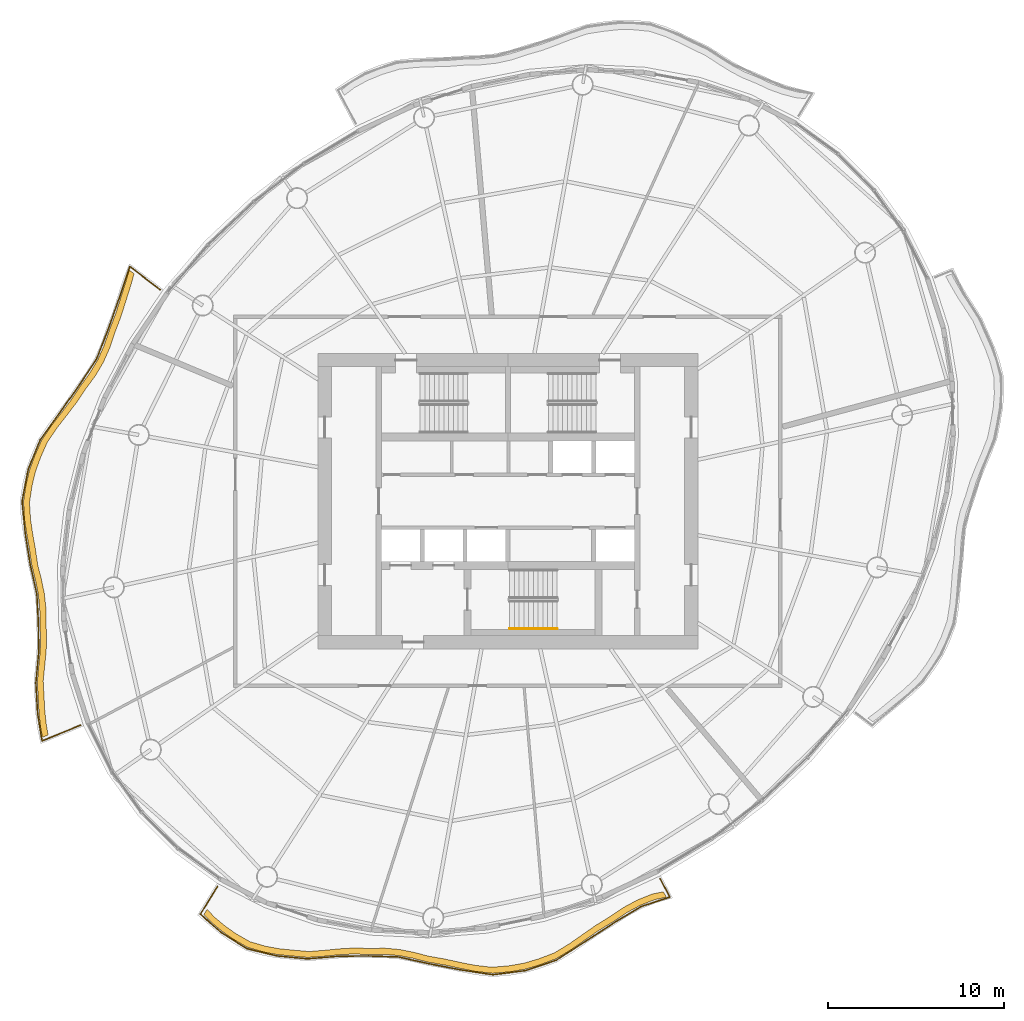
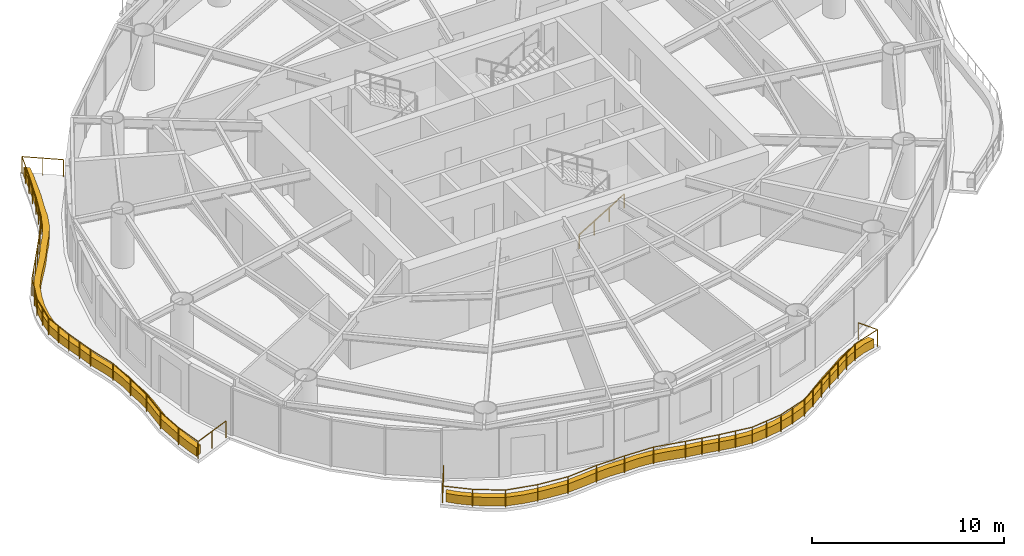
# One storey, part 12 of 14: 3 railings, 2 coverings.
"""IFC4 building model written with IfcOpenShell, lengths in metres."""

from ifc_helpers import new_model, si_unit, direction, frame, origin, origin_2d, place, context, subcontext, project, spatial, polyline, circle, outline, extrude, material, type_object, element, save


model = new_model("IFC4")

# Units and contexts
model_context = context("Model", 3, precision=1e-05, world=origin(), true_north=direction((0.0, 1.0)))
body_context = subcontext(model_context, "Body", "Model", "MODEL_VIEW")
ifc_project = project(units=[si_unit("LENGTHUNIT", "METRE"), si_unit("AREAUNIT", "SQUARE_METRE"), si_unit("VOLUMEUNIT", "CUBIC_METRE"), si_unit("PLANEANGLEUNIT", "RADIAN"), si_unit("MASSUNIT", "GRAM", prefix="KILO")], contexts=[model_context])

# Site, building, storey
site_placement = place(None, origin())
site = spatial("IfcSite", under=ifc_project, at=site_placement, CompositionType="ELEMENT")
building_placement = place(site_placement, origin())
building = spatial("IfcBuilding", under=site, at=building_placement, Name="Vermilion Reach Broadcast Tower", CompositionType="ELEMENT")
storey_placement = place(building_placement, frame((0.0, 0.0, 195.699951171875)))
storey = spatial("IfcBuildingStorey", under=building, at=storey_placement, Name="L47", CompositionType="ELEMENT", Elevation=195.699951171875)

# Coverings
ifc_material_1 = material(Name="Planting soil and greenery")
covering_type = type_object("IfcCoveringType", Name="Balcony PLANTER", PredefinedType="USERDEFINED", material=ifc_material_1)
placement = place(storey_placement, origin())
element("IfcCovering", 1, at=placement, inside=storey, type_object=covering_type, Name="PLANTER L47 group 2", ObjectType="PLANTER", PredefinedType="USERDEFINED", context=body_context, shape_type="SweptSolid", body=[
    extrude(outline(polyline([(-27.5458984375, 13.14990234375), (-27.755615234375, 12.433837890625), (-28.0341796875, 11.550048828125), (-28.314453125, 10.667236328125), (-28.66845703125, 9.7490234375), (-28.976806640625, 8.84423828125), (-29.334716796875, 8.04541015625), (-29.781982421875, 7.29296875), (-30.345947265625, 6.520263671875), (-30.87353515625, 5.72802734375), (-31.41455078125, 5.018310546875), (-31.962646484375, 4.31103515625), (-32.5322265625, 3.46923828125), (-32.927978515625, 2.568115234375), (-33.21484375, 1.777587890625), (-33.41357421875, 0.965087890625), (-33.561279296875, -0.015380859375), (-33.506591796875, -0.993896484375), (-33.3818359375, -1.8291015625), (-33.231689453125, -2.667236328125), (-33.098388671875, -3.603515625), (-32.87939453125, -4.4931640625), (-32.719970703125, -5.284423828125), (-32.635009765625, -6.0771484375), (-32.6318359375, -6.94775390625), (-32.583984375, -7.80224609375), (-32.614990234375, -8.592529296875), (-32.6943359375, -9.390625), (-32.7783203125, -10.322509765625), (-32.7216796875, -11.239013671875), (-32.681640625, -12.023193359375), (-32.596435546875, -12.792724609375), (-32.48486328125, -13.4365234375), (-32.160888671875, -13.303955078125), (-32.26318359375, -12.685546875), (-32.348388671875, -11.916015625), (-32.388427734375, -11.1318359375), (-32.43798828125, -10.240478515625), (-32.348876953125, -9.334228515625), (-32.26953125, -8.535888671875), (-32.238525390625, -7.745849609375), (-32.283203125, -6.915771484375), (-32.28515625, -6.0703125), (-32.3701171875, -5.277587890625), (-32.529296875, -4.486328125), (-32.748779296875, -3.620361328125), (-32.884033203125, -2.70751953125), (-33.0341796875, -1.86962890625), (-33.158935546875, -1.034423828125), (-33.216796875, -0.077880859375), (-33.073974609375, 0.88037109375), (-32.875244140625, 1.69287109375), (-32.58837890625, 2.4833984375), (-32.1982421875, 3.364013671875), (-31.6357421875, 4.185791015625), (-31.087890625, 4.892822265625), (-30.546875, 5.6025390625), (-30.027099609375, 6.376220703125), (-29.471923828125, 7.13037109375), (-29.02490234375, 7.8828125), (-28.666748046875, 8.681884765625), (-28.3681640625, 9.5693359375), (-28.024658203125, 10.470703125), (-27.744384765625, 11.353515625), (-27.4658203125, 12.2373046875), (-27.267333984375, 12.93798828125), (-27.5458984375, 13.14990234375)])), origin(), (0.0, 0.0, 1.0), 0.550048828125),
])
element("IfcCovering", 2, at=placement, inside=storey, type_object=covering_type, Name="PLANTER L47 group 3", ObjectType="PLANTER", PredefinedType="USERDEFINED", context=body_context, shape_type="SweptSolid", body=[
    extrude(outline(polyline([(-23.296875, -23.51123046875), (-22.852783203125, -23.976318359375), (-22.25537109375, -24.47412109375), (-21.630615234375, -24.91845703125), (-20.810546875, -25.383056640625), (-19.89013671875, -25.6513671875), (-19.119384765625, -25.790771484375), (-18.328857421875, -25.871337890625), (-17.396728515625, -25.956298828125), (-16.4384765625, -25.887939453125), (-15.615478515625, -25.805908203125), (-14.799560546875, -25.760986328125), (-13.9208984375, -25.790283203125), (-13.029052734375, -25.77685546875), (-12.21630859375, -25.847900390625), (-11.40771484375, -26.00244140625), (-10.513427734375, -26.23046875), (-9.572021484375, -26.3916015625), (-8.7177734375, -26.57763671875), (-7.864990234375, -26.7470703125), (-6.875732421875, -26.858154296875), (-5.875, -26.773681640625), (-5.03076171875, -26.627197265625), (-4.2060546875, -26.386474609375), (-3.271240234375, -26.034912109375), (-2.3896484375, -25.504150390625), (-1.64208984375, -24.981201171875), (-0.89404296875, -24.46044921875), (-0.066162109375, -23.95556640625), (0.741455078125, -23.417236328125), (1.52490234375, -22.99560546875), (2.3515625, -22.66845703125), (3.0087890625, -22.526123046875), (2.844970703125, -22.216796875), (2.205078125, -22.3505859375), (1.378173828125, -22.677978515625), (0.5947265625, -23.099365234375), (-0.194580078125, -23.6298828125), (-1.00390625, -24.128173828125), (-1.752197265625, -24.64892578125), (-2.49951171875, -25.171875), (-3.36181640625, -25.69677734375), (-4.276611328125, -26.043701171875), (-5.101318359375, -26.284423828125), (-5.945556640625, -26.430908203125), (-6.925048828125, -26.51171875), (-7.893310546875, -26.398193359375), (-8.74609375, -26.228759765625), (-9.60009765625, -26.042724609375), (-10.51904296875, -25.88037109375), (-11.390869140625, -25.65283203125), (-12.19970703125, -25.498291015625), (-13.012451171875, -25.42724609375), (-13.880615234375, -25.442626953125), (-14.73583984375, -25.4169921875), (-15.5517578125, -25.461669921875), (-16.374755859375, -25.5439453125), (-17.30859375, -25.61767578125), (-18.217041015625, -25.539794921875), (-19.007568359375, -25.458984375), (-19.7783203125, -25.319580078125), (-20.67431640625, -25.060791015625), (-21.470703125, -24.607177734375), (-22.095458984375, -24.16259765625), (-22.69287109375, -23.6650390625), (-23.113525390625, -23.213134765625), (-23.296875, -23.51123046875)])), origin(), (0.0, 0.0, 1.0), 0.550048828125),
])

# Railings
ifc_material_2 = material(Name="Stainless steel 316 balustrade", Category="steel")
railing_type_1 = type_object("IfcRailingType", Name="Balcony guard 1100", PredefinedType="BALUSTRADE", material=ifc_material_2)
railing_1_placement = place(storey_placement, frame((-25.786865234375, 12.036865234375, 0.0)))
element("IfcRailing", 3, at=railing_1_placement, inside=storey, type_object=railing_type_1, Name="Balcony guard L47 group 2", PredefinedType="BALUSTRADE", context=body_context, shape_type="SweptSolid", body=[
    extrude(circle(Radius=0.02490234375, at=origin_2d()), frame((0.0, 0.0, 1.0751953125), z_axis=(-0.795701016995, 0.605689600004, 0.0), x_axis=(-0.605689600004, -0.795701016995, 0.0)), (0.0, 0.0, 1.0), 2.163818359375),
    extrude(circle(Radius=0.02490234375, at=origin_2d()), frame((-1.7216796875, 1.310546875, 1.0751953125), z_axis=(-0.319907487639, -0.947448784554, 0.0), x_axis=(0.947448784554, -0.319907487639, 0.0)), (0.0, 0.0, 1.0), 1.849853515625),
    extrude(circle(Radius=0.02490234375, at=origin_2d()), frame((-2.3134765625, -0.442138671875, 1.0751953125), z_axis=(-0.332753377786, -0.943013886203, 0.0), x_axis=(0.943013886203, -0.332753377786, 0.0)), (0.0, 0.0, 1.0), 1.91357421875),
    extrude(circle(Radius=0.02490234375, at=origin_2d()), frame((-2.9501953125, -2.24658203125, 1.0751953125), z_axis=(-0.364610145749, -0.931160266343, 0.0), x_axis=(0.931160266343, -0.364610145749, 0.0)), (0.0, 0.0, 1.0), 1.833984375),
    extrude(circle(Radius=0.02490234375, at=origin_2d()), frame((-3.618896484375, -3.954345703125, 1.0751953125), z_axis=(-0.552302368911, -0.833643864786, 0.0), x_axis=(0.833643864786, -0.552302368911, 0.0)), (0.0, 0.0, 1.0), 1.83447265625),
    extrude(circle(Radius=0.02490234375, at=origin_2d()), frame((-4.632080078125, -5.483642578125, 1.0751953125), z_axis=(-0.579211753017, -0.815177125027, 0.0), x_axis=(0.815177125027, -0.579211753017, 0.0)), (0.0, 0.0, 1.0), 1.847900390625),
    extrude(circle(Radius=0.02490234375, at=origin_2d()), frame((-5.702392578125, -6.989990234375, 1.0751953125), z_axis=(-0.584465938292, -0.811418244173, 0.0), x_axis=(0.811418244173, -0.584465938292, 0.0)), (0.0, 0.0, 1.0), 1.914794921875),
    extrude(circle(Radius=0.02490234375, at=origin_2d()), frame((-6.821533203125, -8.543701171875, 1.0751953125), z_axis=(-0.374012778837, -0.927423550093, 0.0), x_axis=(0.927423550093, -0.374012778837, 0.0)), (0.0, 0.0, 1.0), 1.8291015625),
    extrude(circle(Radius=0.02490234375, at=origin_2d()), frame((-7.505615234375, -10.239990234375, 1.0751953125), z_axis=(-0.189727557271, -0.981836775646, 0.0), x_axis=(0.981836775646, -0.189727557271, 0.0)), (0.0, 0.0, 1.0), 1.8310546875),
    extrude(circle(Radius=0.02490234375, at=origin_2d()), frame((-7.85302734375, -12.037841796875, 1.0751953125), z_axis=(0.097651850413, -0.9952206369, 0.0), x_axis=(0.9952206369, 0.097651850413, 0.0)), (0.0, 0.0, 1.0), 1.82763671875),
    extrude(circle(Radius=0.02490234375, at=origin_2d()), frame((-7.674560546875, -13.856689453125, 1.0751953125), z_axis=(0.157124056101, -0.987578873303, 0.0), x_axis=(0.987578873303, 0.157124056101, 0.0)), (0.0, 0.0, 1.0), 1.802490234375),
    extrude(circle(Radius=0.02490234375, at=origin_2d()), frame((-7.391357421875, -15.63671875, 1.0751953125), z_axis=(0.218829734802, -0.975763058927, 0.0), x_axis=(0.975763058927, 0.218829734802, 0.0)), (0.0, 0.0, 1.0), 1.728271484375),
    extrude(circle(Radius=0.02490234375, at=origin_2d()), frame((-7.01318359375, -17.322998046875, 1.0751953125), z_axis=(0.053034257169, -0.998592693528, 0.0), x_axis=(0.998592693528, 0.053034257169, 0.0)), (0.0, 0.0, 1.0), 1.671142578125),
    extrude(circle(Radius=0.02490234375, at=origin_2d()), frame((-6.924560546875, -18.99169921875, 1.0751953125), z_axis=(0.0106502835, -0.999943284122, 0.0), x_axis=(0.999943284122, 0.0106502835, 0.0)), (0.0, 0.0, 1.0), 1.650390625),
    extrude(circle(Radius=0.02490234375, at=origin_2d()), frame((-6.906982421875, -20.64208984375, 1.0751953125), z_axis=(-0.092984982768, -0.995667511261, 0.0), x_axis=(0.995667511261, -0.092984982768, 0.0)), (0.0, 0.0, 1.0), 1.743408203125),
    extrude(circle(Radius=0.02490234375, at=origin_2d()), frame((-7.069091796875, -22.3779296875, 1.0751953125), z_axis=(0.057415856982, -0.998350349009, 0.0), x_axis=(0.998350349009, 0.057415856982, 0.0)), (0.0, 0.0, 1.0), 1.70947265625),
    extrude(circle(Radius=0.02490234375, at=origin_2d()), frame((-6.970947265625, -24.08447265625, 1.0751953125), z_axis=(0.157635796185, -0.987497319369, 0.0), x_axis=(0.987497319369, 0.157635796185, 0.0)), (0.0, 0.0, 1.0), 1.610595703125),
    extrude(circle(Radius=0.02490234375, at=origin_2d()), frame((-6.717041015625, -25.675048828125, 1.0751953125), z_axis=(0.925555165898, 0.378612776962, 0.0), x_axis=(-0.378612776962, 0.925555165898, 0.0)), (0.0, 0.0, 1.0), 2.368408203125),
    extrude(circle(Radius=0.02490234375, at=origin_2d()), origin(), (0.0, 0.0, 1.0), 1.050048828125),
    extrude(circle(Radius=0.02490234375, at=origin_2d()), frame((-0.86083984375, 0.6552734375, 0.0)), (0.0, 0.0, 1.0), 1.050048828125),
    extrude(circle(Radius=0.02490234375, at=origin_2d()), frame((-1.7216796875, 1.310546875, 0.0)), (0.0, 0.0, 1.0), 1.050048828125),
    extrude(circle(Radius=0.02490234375, at=origin_2d()), frame((-2.017578125, 0.43408203125, 0.0)), (0.0, 0.0, 1.0), 1.050048828125),
    extrude(circle(Radius=0.02490234375, at=origin_2d()), frame((-2.3134765625, -0.442138671875, 0.0)), (0.0, 0.0, 1.0), 1.050048828125),
    extrude(circle(Radius=0.02490234375, at=origin_2d()), frame((-2.6318359375, -1.34423828125, 0.0)), (0.0, 0.0, 1.0), 1.050048828125),
    extrude(circle(Radius=0.02490234375, at=origin_2d()), frame((-2.9501953125, -2.24658203125, 0.0)), (0.0, 0.0, 1.0), 1.050048828125),
    extrude(circle(Radius=0.02490234375, at=origin_2d()), frame((-3.28466796875, -3.1005859375, 0.0)), (0.0, 0.0, 1.0), 1.050048828125),
    extrude(circle(Radius=0.02490234375, at=origin_2d()), frame((-3.618896484375, -3.954345703125, 0.0)), (0.0, 0.0, 1.0), 1.050048828125),
    extrude(circle(Radius=0.02490234375, at=origin_2d()), frame((-4.12548828125, -4.718994140625, 0.0)), (0.0, 0.0, 1.0), 1.050048828125),
    extrude(circle(Radius=0.02490234375, at=origin_2d()), frame((-4.632080078125, -5.483642578125, 0.0)), (0.0, 0.0, 1.0), 1.050048828125),
    extrude(circle(Radius=0.02490234375, at=origin_2d()), frame((-5.167236328125, -6.23681640625, 0.0)), (0.0, 0.0, 1.0), 1.050048828125),
    extrude(circle(Radius=0.02490234375, at=origin_2d()), frame((-5.702392578125, -6.989990234375, 0.0)), (0.0, 0.0, 1.0), 1.050048828125),
    extrude(circle(Radius=0.02490234375, at=origin_2d()), frame((-6.261962890625, -7.766845703125, 0.0)), (0.0, 0.0, 1.0), 1.050048828125),
    extrude(circle(Radius=0.02490234375, at=origin_2d()), frame((-6.821533203125, -8.543701171875, 0.0)), (0.0, 0.0, 1.0), 1.050048828125),
    extrude(circle(Radius=0.02490234375, at=origin_2d()), frame((-7.16357421875, -9.391845703125, 0.0)), (0.0, 0.0, 1.0), 1.050048828125),
    extrude(circle(Radius=0.02490234375, at=origin_2d()), frame((-7.505615234375, -10.239990234375, 0.0)), (0.0, 0.0, 1.0), 1.050048828125),
    extrude(circle(Radius=0.02490234375, at=origin_2d()), frame((-7.67919921875, -11.138916015625, 0.0)), (0.0, 0.0, 1.0), 1.050048828125),
    extrude(circle(Radius=0.02490234375, at=origin_2d()), frame((-7.85302734375, -12.037841796875, 0.0)), (0.0, 0.0, 1.0), 1.050048828125),
    extrude(circle(Radius=0.02490234375, at=origin_2d()), frame((-7.763671875, -12.947265625, 0.0)), (0.0, 0.0, 1.0), 1.050048828125),
    extrude(circle(Radius=0.02490234375, at=origin_2d()), frame((-7.674560546875, -13.856689453125, 0.0)), (0.0, 0.0, 1.0), 1.050048828125),
    extrude(circle(Radius=0.02490234375, at=origin_2d()), frame((-7.532958984375, -14.74658203125, 0.0)), (0.0, 0.0, 1.0), 1.050048828125),
    extrude(circle(Radius=0.02490234375, at=origin_2d()), frame((-7.391357421875, -15.63671875, 0.0)), (0.0, 0.0, 1.0), 1.050048828125),
    extrude(circle(Radius=0.02490234375, at=origin_2d()), frame((-7.01318359375, -17.322998046875, 0.0)), (0.0, 0.0, 1.0), 1.050048828125),
    extrude(circle(Radius=0.02490234375, at=origin_2d()), frame((-6.924560546875, -18.99169921875, 0.0)), (0.0, 0.0, 1.0), 1.050048828125),
    extrude(circle(Radius=0.02490234375, at=origin_2d()), frame((-6.906982421875, -20.64208984375, 0.0)), (0.0, 0.0, 1.0), 1.050048828125),
    extrude(circle(Radius=0.02490234375, at=origin_2d()), frame((-7.069091796875, -22.3779296875, 0.0)), (0.0, 0.0, 1.0), 1.050048828125),
    extrude(circle(Radius=0.02490234375, at=origin_2d()), frame((-6.970947265625, -24.08447265625, 0.0)), (0.0, 0.0, 1.0), 1.050048828125),
    extrude(circle(Radius=0.02490234375, at=origin_2d()), frame((-6.717041015625, -25.675048828125, 0.0)), (0.0, 0.0, 1.0), 1.050048828125),
    extrude(circle(Radius=0.02490234375, at=origin_2d()), frame((-5.62109375, -25.2265625, 0.0)), (0.0, 0.0, 1.0), 1.050048828125),
    extrude(circle(Radius=0.02490234375, at=origin_2d()), frame((-4.52490234375, -24.7783203125, 0.0)), (0.0, 0.0, 1.0), 1.050048828125),
])
railing_2_placement = place(storey_placement, frame((-22.52587890625, -21.915771484375, 0.0)))
element("IfcRailing", 4, at=railing_2_placement, inside=storey, type_object=railing_type_1, Name="Balcony guard L47 group 3", PredefinedType="BALUSTRADE", context=body_context, shape_type="SweptSolid", body=[
    extrude(circle(Radius=0.02490234375, at=origin_2d()), frame((0.0, 0.0, 1.0751953125), z_axis=(-0.524112098093, -0.851649287343, 0.0), x_axis=(0.851649287343, -0.524112098093, 0.0)), (0.0, 0.0, 1.0), 1.856689453125),
    extrude(circle(Radius=0.02490234375, at=origin_2d()), frame((-0.97314453125, -1.581298828125, 1.0751953125), z_axis=(0.755068931808, -0.655645413481, 0.0), x_axis=(0.655645413481, 0.755068931808, 0.0)), (0.0, 0.0, 1.0), 1.5986328125),
    extrude(circle(Radius=0.02490234375, at=origin_2d()), frame((0.23388671875, -2.62939453125, 1.0751953125), z_axis=(0.846618201002, -0.532200734434, 0.0), x_axis=(0.532200734434, 0.846618201002, 0.0)), (0.0, 0.0, 1.0), 1.712890625),
    extrude(circle(Radius=0.02490234375, at=origin_2d()), frame((1.68408203125, -3.541015625, 1.0751953125), z_axis=(0.972069006195, -0.234695221927, 0.0), x_axis=(0.234695221927, 0.972069006195, 0.0)), (0.0, 0.0, 1.0), 1.74560546875),
    extrude(circle(Radius=0.02490234375, at=origin_2d()), frame((3.380859375, -3.95068359375, 1.0751953125), z_axis=(0.995350883243, -0.09631520766, 0.0), x_axis=(0.09631520766, 0.995350883243, 0.0)), (0.0, 0.0, 1.0), 1.736328125),
    extrude(circle(Radius=0.02490234375, at=origin_2d()), frame((5.109130859375, -4.117919921875, 1.0751953125), z_axis=(0.996532597772, 0.08320325461, 0.0), x_axis=(-0.08320325461, 0.996532597772, 0.0)), (0.0, 0.0, 1.0), 1.792724609375),
    extrude(circle(Radius=0.02490234375, at=origin_2d()), frame((6.895751953125, -3.96875, 1.0751953125), z_axis=(0.999961628225, 0.00876025554, 0.0), x_axis=(-0.00876025554, 0.999961628225, 0.0)), (0.0, 0.0, 1.0), 1.699951171875),
    extrude(circle(Radius=0.02490234375, at=origin_2d()), frame((8.595703125, -3.953857421875, 1.0751953125), z_axis=(0.999418306162, -0.034103508734, 0.0), x_axis=(0.034103508734, 0.999418306162, 0.0)), (0.0, 0.0, 1.0), 1.7109375),
    extrude(circle(Radius=0.02490234375, at=origin_2d()), frame((10.3056640625, -4.01220703125, 1.0751953125), z_axis=(0.975857783171, -0.218406929891, 0.0), x_axis=(0.218406929891, 0.975857783171, 0.0)), (0.0, 0.0, 1.0), 1.75048828125),
    extrude(circle(Radius=0.02490234375, at=origin_2d()), frame((12.013916015625, -4.39453125, 1.0751953125), z_axis=(0.981938957548, -0.189198001176, 0.0), x_axis=(0.189198001176, 0.981938957548, 0.0)), (0.0, 0.0, 1.0), 1.833740234375),
    extrude(circle(Radius=0.02490234375, at=origin_2d()), frame((13.814453125, -4.741455078125, 1.0751953125), z_axis=(0.988680869241, -0.150033792186, 0.0), x_axis=(0.150033792186, 0.988680869241, 0.0)), (0.0, 0.0, 1.0), 1.8681640625),
    extrude(circle(Radius=0.02490234375, at=origin_2d()), frame((15.661376953125, -5.021728515625, 1.0751953125), z_axis=(0.992231470228, 0.124405423877, 0.0), x_axis=(-0.124405423877, 0.992231470228, 0.0)), (0.0, 0.0, 1.0), 1.8642578125),
    extrude(circle(Radius=0.02490234375, at=origin_2d()), frame((17.51123046875, -4.789794921875, 1.0751953125), z_axis=(0.947827132534, 0.318784765683, 0.0), x_axis=(-0.318784765683, 0.947827132534, 0.0)), (0.0, 0.0, 1.0), 1.861083984375),
    extrude(circle(Radius=0.02490234375, at=origin_2d()), frame((19.275146484375, -4.196533203125, 1.0751953125), z_axis=(0.840034610357, 0.542532813204, 0.0), x_axis=(-0.542532813204, 0.840034610357, 0.0)), (0.0, 0.0, 1.0), 1.94482421875),
    extrude(circle(Radius=0.02490234375, at=origin_2d()), frame((20.908935546875, -3.141357421875, 1.0751953125), z_axis=(0.838411062993, 0.545038429334, 0.0), x_axis=(-0.545038429334, 0.838411062993, 0.0)), (0.0, 0.0, 1.0), 1.885009765625),
    extrude(circle(Radius=0.02490234375, at=origin_2d()), frame((22.4892578125, -2.114013671875, 1.0751953125), z_axis=(0.856438521644, 0.516249027741, 0.0), x_axis=(-0.516249027741, 0.856438521644, 0.0)), (0.0, 0.0, 1.0), 1.8623046875),
    extrude(circle(Radius=0.02490234375, at=origin_2d()), frame((24.084228515625, -1.152587890625, 1.0751953125), z_axis=(0.949257120016, 0.314501065339, 0.0), x_axis=(-0.314501065339, 0.949257120016, 0.0)), (0.0, 0.0, 1.0), 1.73974609375),
    extrude(circle(Radius=0.02490234375, at=origin_2d()), frame((25.735595703125, -0.60546875, 1.0751953125), z_axis=(-0.468240211257, 0.883601213536, 0.0), x_axis=(-0.883601213536, -0.468240211257, 0.0)), (0.0, 0.0, 1.0), 1.17724609375),
    extrude(circle(Radius=0.02490234375, at=origin_2d()), origin(), (0.0, 0.0, 1.0), 1.050048828125),
    extrude(circle(Radius=0.02490234375, at=origin_2d()), frame((-0.486572265625, -0.79052734375, 0.0)), (0.0, 0.0, 1.0), 1.050048828125),
    extrude(circle(Radius=0.02490234375, at=origin_2d()), frame((-0.97314453125, -1.581298828125, 0.0)), (0.0, 0.0, 1.0), 1.050048828125),
    extrude(circle(Radius=0.02490234375, at=origin_2d()), frame((0.23388671875, -2.62939453125, 0.0)), (0.0, 0.0, 1.0), 1.050048828125),
    extrude(circle(Radius=0.02490234375, at=origin_2d()), frame((1.68408203125, -3.541015625, 0.0)), (0.0, 0.0, 1.0), 1.050048828125),
    extrude(circle(Radius=0.02490234375, at=origin_2d()), frame((3.380859375, -3.95068359375, 0.0)), (0.0, 0.0, 1.0), 1.050048828125),
    extrude(circle(Radius=0.02490234375, at=origin_2d()), frame((5.109130859375, -4.117919921875, 0.0)), (0.0, 0.0, 1.0), 1.050048828125),
    extrude(circle(Radius=0.02490234375, at=origin_2d()), frame((6.895751953125, -3.96875, 0.0)), (0.0, 0.0, 1.0), 1.050048828125),
    extrude(circle(Radius=0.02490234375, at=origin_2d()), frame((8.595703125, -3.953857421875, 0.0)), (0.0, 0.0, 1.0), 1.050048828125),
    extrude(circle(Radius=0.02490234375, at=origin_2d()), frame((10.3056640625, -4.01220703125, 0.0)), (0.0, 0.0, 1.0), 1.050048828125),
    extrude(circle(Radius=0.02490234375, at=origin_2d()), frame((12.013916015625, -4.39453125, 0.0)), (0.0, 0.0, 1.0), 1.050048828125),
    extrude(circle(Radius=0.02490234375, at=origin_2d()), frame((12.9140625, -4.56787109375, 0.0)), (0.0, 0.0, 1.0), 1.050048828125),
    extrude(circle(Radius=0.02490234375, at=origin_2d()), frame((13.814453125, -4.741455078125, 0.0)), (0.0, 0.0, 1.0), 1.050048828125),
    extrude(circle(Radius=0.02490234375, at=origin_2d()), frame((14.73779296875, -4.881591796875, 0.0)), (0.0, 0.0, 1.0), 1.050048828125),
    extrude(circle(Radius=0.02490234375, at=origin_2d()), frame((15.661376953125, -5.021728515625, 0.0)), (0.0, 0.0, 1.0), 1.050048828125),
    extrude(circle(Radius=0.02490234375, at=origin_2d()), frame((16.58642578125, -4.90576171875, 0.0)), (0.0, 0.0, 1.0), 1.050048828125),
    extrude(circle(Radius=0.02490234375, at=origin_2d()), frame((17.51123046875, -4.789794921875, 0.0)), (0.0, 0.0, 1.0), 1.050048828125),
    extrude(circle(Radius=0.02490234375, at=origin_2d()), frame((18.39306640625, -4.4931640625, 0.0)), (0.0, 0.0, 1.0), 1.050048828125),
    extrude(circle(Radius=0.02490234375, at=origin_2d()), frame((19.275146484375, -4.196533203125, 0.0)), (0.0, 0.0, 1.0), 1.050048828125),
    extrude(circle(Radius=0.02490234375, at=origin_2d()), frame((20.092041015625, -3.6689453125, 0.0)), (0.0, 0.0, 1.0), 1.050048828125),
    extrude(circle(Radius=0.02490234375, at=origin_2d()), frame((20.908935546875, -3.141357421875, 0.0)), (0.0, 0.0, 1.0), 1.050048828125),
    extrude(circle(Radius=0.02490234375, at=origin_2d()), frame((21.69921875, -2.627685546875, 0.0)), (0.0, 0.0, 1.0), 1.050048828125),
    extrude(circle(Radius=0.02490234375, at=origin_2d()), frame((22.4892578125, -2.114013671875, 0.0)), (0.0, 0.0, 1.0), 1.050048828125),
    extrude(circle(Radius=0.02490234375, at=origin_2d()), frame((23.28662109375, -1.63330078125, 0.0)), (0.0, 0.0, 1.0), 1.050048828125),
    extrude(circle(Radius=0.02490234375, at=origin_2d()), frame((24.084228515625, -1.152587890625, 0.0)), (0.0, 0.0, 1.0), 1.050048828125),
    extrude(circle(Radius=0.02490234375, at=origin_2d()), frame((25.735595703125, -0.60546875, 0.0)), (0.0, 0.0, 1.0), 1.050048828125),
    extrude(circle(Radius=0.02490234375, at=origin_2d()), frame((25.184326171875, 0.434814453125, 0.0)), (0.0, 0.0, 1.0), 1.050048828125),
])
ifc_material_3 = material(Name="Stainless steel", Category="steel")
railing_type_2 = type_object("IfcRailingType", Name="Stair handrail", PredefinedType="HANDRAIL", material=ifc_material_3)
railing_3_placement = place(storey_placement, frame((-5.89990234375, -7.25, 0.16357421875)))
element("IfcRailing", 5, at=railing_3_placement, inside=storey, type_object=railing_type_2, Name="L47 ST3 stair handrail 1", PredefinedType="HANDRAIL", context=body_context, shape_type="SweptSolid", body=[
    extrude(circle(Radius=0.02392578125, at=origin_2d()), frame((0.0, 0.0, 0.8759765625), z_axis=(0.855178096276, 0.0, 0.518334277904), x_axis=(0.0, 1.0, 0.0)), (0.0, 0.0, 1.0), 3.1572265625),
    extrude(circle(Radius=0.02099609375, at=origin_2d()), origin(), (0.0, 0.0, 1.0), 0.851806640625),
    extrude(circle(Radius=0.02099609375, at=origin_2d()), frame((0.89990234375, 0.0, 0.54541015625)), (0.0, 0.0, 1.0), 0.851806640625),
    extrude(circle(Radius=0.02099609375, at=origin_2d()), frame((1.800048828125, 0.0, 1.091064453125)), (0.0, 0.0, 1.0), 0.851806640625),
    extrude(circle(Radius=0.02099609375, at=origin_2d()), frame((2.699951171875, 0.0, 1.636474609375)), (0.0, 0.0, 1.0), 0.851806640625),
])

save(model, "model.ifc")
